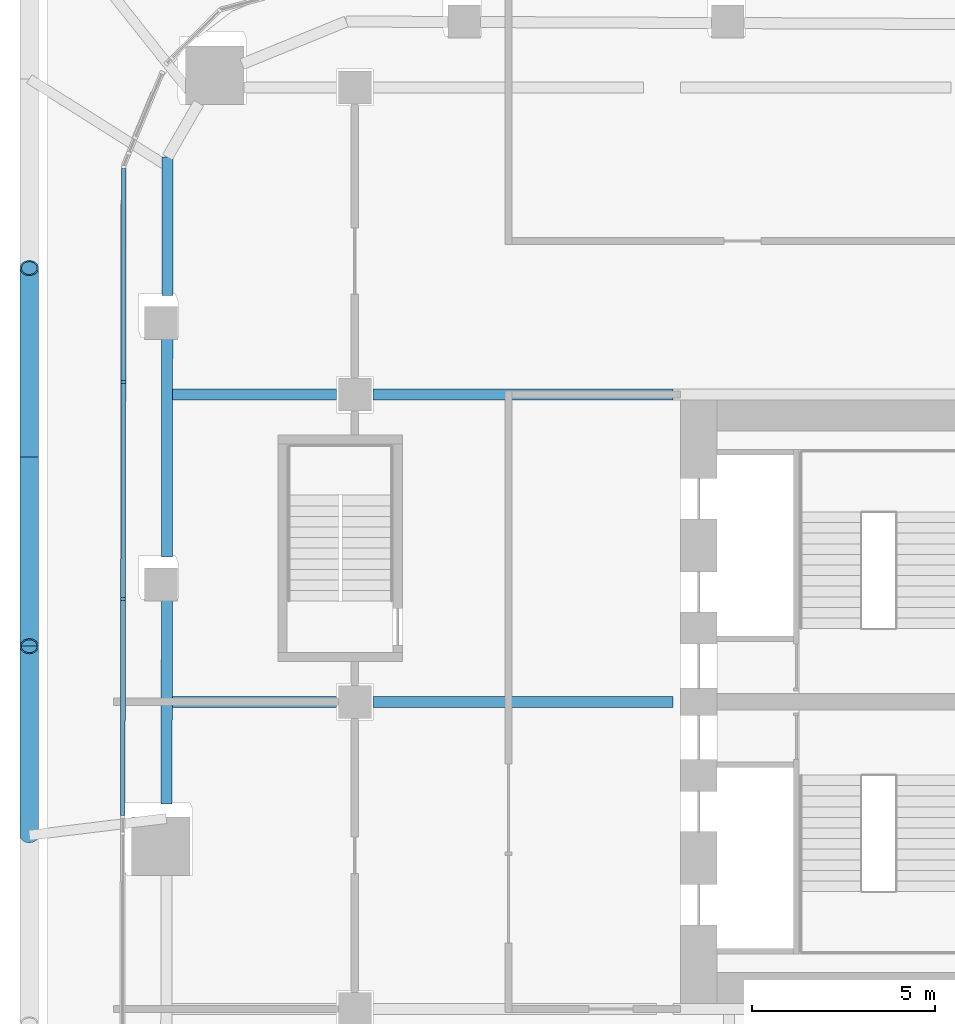
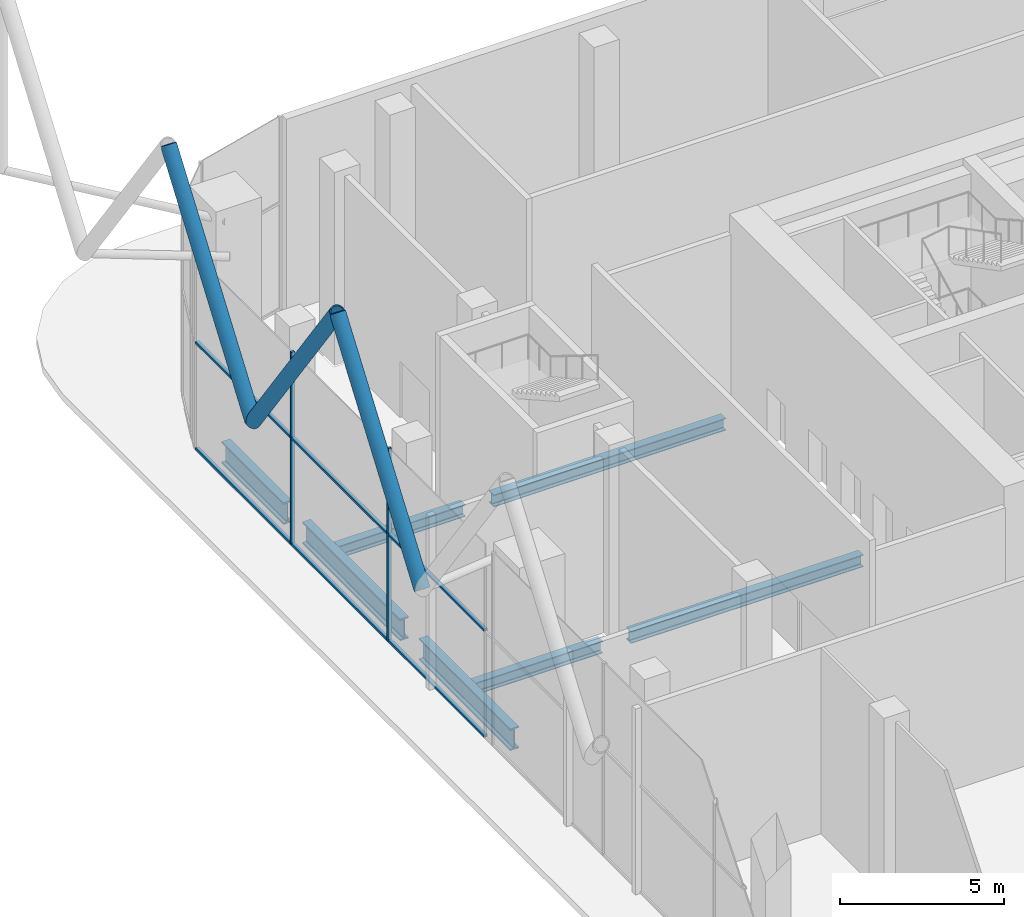
# One storey, part 8 of 34: 11 members, 7 beams, 1 element without a shape of its own.
"""IFC4 building model written with IfcOpenShell, lengths in metres."""

from ifc_helpers import new_model, si_unit, direction, frame, origin, origin_2d, place, context, subcontext, project, spatial, rectangle, hollow_circle, i_section, extrude, material, layer, layer_set, material_profile, profile_set, type_object, element, aggregate, save


model = new_model("IFC4")

# Units and contexts
model_context = context("Model", 3, precision=1e-05, world=origin(), true_north=direction((0.0, 1.0)))
body_context = subcontext(model_context, "Body", "Model", "MODEL_VIEW")
ifc_project = project(units=[si_unit("LENGTHUNIT", "METRE"), si_unit("AREAUNIT", "SQUARE_METRE"), si_unit("VOLUMEUNIT", "CUBIC_METRE"), si_unit("PLANEANGLEUNIT", "RADIAN"), si_unit("MASSUNIT", "GRAM", prefix="KILO")], contexts=[model_context])

# Site, building, storey
site_placement = place(None, origin())
site = spatial("IfcSite", under=ifc_project, at=site_placement, CompositionType="ELEMENT")
building_placement = place(site_placement, origin())
building = spatial("IfcBuilding", under=site, at=building_placement, Name="Marenta Gate Hotel Tower", CompositionType="ELEMENT")
storey_placement = place(building_placement, frame((0.0, 0.0, 97.699951171875)))
storey = spatial("IfcBuildingStorey", under=building, at=storey_placement, Name="L21", CompositionType="ELEMENT", Elevation=97.699951171875)

# Members
ifc_material_1 = material(Name="Steel S355J2W", Category="steel")
ifc_material_profile_1 = material_profile(ifc_material_1, hollow_circle(Radius=0.25390625, WallThickness=0.0400390625, at=origin_2d()), Name="CHS 508x40")
ifc_profile_set_1 = profile_set([ifc_material_profile_1], Name="Steel S355J2W")
member_type_1 = type_object("IfcMemberType", Name="Diagrid diagonal Z2 CHS 508x40", PredefinedType="BRACE", material=ifc_profile_set_1)
member_1_placement = place(storey_placement, frame((-29.89990234375, 4.75, 6.739990234375), z_axis=(0.0, 0.583260841117, 0.812284919975), x_axis=(-1.0, 0.0, 0.0)))
element("IfcMember", 1, at=member_1_placement, inside=storey, type_object=member_type_1, Name="L21-DG-30", PredefinedType="BRACE", context=body_context, shape_type="SweptSolid", body=[
    extrude(hollow_circle(Radius=0.25390625, WallThickness=0.0400390625, at=origin_2d()), origin(), (0.0, 0.0, 1.0), 8.86376953125),
])
member_2_placement = place(storey_placement, frame((-29.89990234375, 15.090087890625, 6.739990234375), z_axis=(0.0, -0.583279014058, 0.812271870595), x_axis=(1.0, 0.0, 0.0)))
element("IfcMember", 2, at=member_2_placement, inside=storey, type_object=member_type_1, Name="L21-DG-31", PredefinedType="BRACE", context=body_context, shape_type="SweptSolid", body=[
    extrude(hollow_circle(Radius=0.25390625, WallThickness=0.0400390625, at=origin_2d()), origin(), (0.0, 0.0, 1.0), 8.864013671875),
])
member_3_placement = place(storey_placement, frame((-29.89990234375, 15.090087890625, 6.739990234375), z_axis=(0.0, 0.583260841117, 0.812284919975), x_axis=(-1.0, 0.0, 0.0)))
element("IfcMember", 3, at=member_3_placement, inside=storey, type_object=member_type_1, Name="L21-DG-32", PredefinedType="BRACE", context=body_context, shape_type="SweptSolid", body=[
    extrude(hollow_circle(Radius=0.25390625, WallThickness=0.0400390625, at=origin_2d()), origin(), (0.0, 0.0, 1.0), 8.86376953125),
])

# Beams
ifc_material_2 = material(Name="Steel S355", Category="steel")
ifc_material_profile_2 = material_profile(ifc_material_2, i_section(OverallWidth=0.302978515625, OverallDepth=0.81396484375, WebThickness=0.030029296875, FlangeThickness=0.052001953125, FilletRadius=0.030029296875, at=origin_2d()), Name="HEM 800")
ifc_profile_set_2 = profile_set([ifc_material_profile_2], Name="Steel S355")
beam_type_1 = type_object("IfcBeamType", Name="Edge beam HEM 800", PredefinedType="SPANDREL", material=ifc_profile_set_2)
beam_1_placement = place(storey_placement, frame((-26.145751953125, 5.600341796875, -0.6669921875), z_axis=(0.001353237804, 0.999999084373, 0.0), x_axis=(-0.999999084373, 0.001353237804, 0.0)))
element("IfcBeam", 4, at=beam_1_placement, inside=storey, type_object=beam_type_1, Name="L21-EB-7", PredefinedType="SPANDREL", context=body_context, shape_type="SweptSolid", body=[
    extrude(i_section(OverallWidth=0.302978515625, OverallDepth=0.81396484375, WebThickness=0.030029296875, FlangeThickness=0.052001953125, FilletRadius=0.030029296875, at=origin_2d()), origin(), (0.0, 0.0, 1.0), 5.5927734375),
])
beam_2_placement = place(storey_placement, frame((-26.136474609375, 12.353515625, -0.6669921875), z_axis=(0.001385096647, 0.999999040753, 0.0), x_axis=(-0.999999040753, 0.001385096647, 0.0)))
element("IfcBeam", 5, at=beam_2_placement, inside=storey, type_object=beam_type_1, Name="L21-EB-8", PredefinedType="SPANDREL", context=body_context, shape_type="SweptSolid", body=[
    extrude(i_section(OverallWidth=0.302978515625, OverallDepth=0.81396484375, WebThickness=0.030029296875, FlangeThickness=0.052001953125, FilletRadius=0.030029296875, at=origin_2d()), origin(), (0.0, 0.0, 1.0), 5.992919921875),
])
beam_3_placement = place(storey_placement, frame((-26.12646484375, 19.5068359375, -0.6669921875), z_axis=(0.001354575291, 0.999999082562, 0.0), x_axis=(-0.999999082562, 0.001354575291, 0.0)))
element("IfcBeam", 6, at=beam_3_placement, inside=storey, type_object=beam_type_1, Name="L21-EB-9", PredefinedType="SPANDREL", context=body_context, shape_type="SweptSolid", body=[
    extrude(i_section(OverallWidth=0.302978515625, OverallDepth=0.81396484375, WebThickness=0.030029296875, FlangeThickness=0.052001953125, FilletRadius=0.030029296875, at=origin_2d()), origin(), (0.0, 0.0, 1.0), 3.784912109375),
])
ifc_material_3 = material(Name="Steel S355", Category="steel")
ifc_material_profile_3 = material_profile(ifc_material_3, i_section(OverallWidth=0.300048828125, OverallDepth=0.449951171875, WebThickness=0.013916015625, FlangeThickness=0.02587890625, FilletRadius=0.027099609375, at=origin_2d()), Name="HEB 450")
ifc_profile_set_3 = profile_set([ifc_material_profile_3], Name="Steel S355")
beam_type_2 = type_object("IfcBeamType", Name="Girder HEB 450", PredefinedType="BEAM", material=ifc_profile_set_3)
beam_4_placement = place(storey_placement, frame((-25.990478515625, 8.39990234375, -0.48486328125), z_axis=(1.0, 0.0, 0.0), x_axis=(0.0, 1.0, 0.0)))
element("IfcBeam", 7, at=beam_4_placement, inside=storey, type_object=beam_type_2, Name="L21-GD-23", PredefinedType="BEAM", context=body_context, shape_type="SweptSolid", body=[
    extrude(i_section(OverallWidth=0.300048828125, OverallDepth=0.449951171875, WebThickness=0.013916015625, FlangeThickness=0.02587890625, FilletRadius=0.027099609375, at=origin_2d()), origin(), (0.0, 0.0, 1.0), 4.490478515625),
])
beam_5_placement = place(storey_placement, frame((-20.5, 8.39990234375, -0.48486328125), z_axis=(1.0, 0.0, 0.0), x_axis=(0.0, 1.0, 0.0)))
element("IfcBeam", 8, at=beam_5_placement, inside=storey, type_object=beam_type_2, Name="L21-GD-24", PredefinedType="BEAM", context=body_context, shape_type="SweptSolid", body=[
    extrude(i_section(OverallWidth=0.300048828125, OverallDepth=0.449951171875, WebThickness=0.013916015625, FlangeThickness=0.02587890625, FilletRadius=0.027099609375, at=origin_2d()), origin(), (0.0, 0.0, 1.0), 8.199951171875),
])
beam_6_placement = place(storey_placement, frame((-25.978759765625, 16.800048828125, -0.48486328125), z_axis=(1.0, 0.0, 0.0), x_axis=(0.0, 1.0, 0.0)))
element("IfcBeam", 9, at=beam_6_placement, inside=storey, type_object=beam_type_2, Name="L21-GD-27", PredefinedType="BEAM", context=body_context, shape_type="SweptSolid", body=[
    extrude(i_section(OverallWidth=0.300048828125, OverallDepth=0.449951171875, WebThickness=0.013916015625, FlangeThickness=0.02587890625, FilletRadius=0.027099609375, at=origin_2d()), origin(), (0.0, 0.0, 1.0), 4.478759765625),
])
beam_7_placement = place(storey_placement, frame((-20.5, 16.800048828125, -0.48486328125), z_axis=(1.0, 0.0, 0.0), x_axis=(0.0, 1.0, 0.0)))
element("IfcBeam", 10, at=beam_7_placement, inside=storey, type_object=beam_type_2, Name="L21-GD-28", PredefinedType="BEAM", context=body_context, shape_type="SweptSolid", body=[
    extrude(i_section(OverallWidth=0.300048828125, OverallDepth=0.449951171875, WebThickness=0.013916015625, FlangeThickness=0.02587890625, FilletRadius=0.027099609375, at=origin_2d()), origin(), (0.0, 0.0, 1.0), 8.199951171875),
])

# Curtain wall, members
ifc_material_4 = material(Name="Tinted insulated glass in bronze anodised frame", Category="glass")
ifc_layer = layer(ifc_material_4, 0.1298828125)
ifc_layer_set = layer_set([ifc_layer], Name="Tinted insulated glass in bronze anodised frame")
curtain_wall_type = type_object("IfcCurtainWallType", Name="Sky lobby glazing CW2", PredefinedType="NOTDEFINED", material=ifc_layer_set)
curtain_wall_placement = place(storey_placement, origin())
curtain_wall = element("IfcCurtainWall", 11, at=curtain_wall_placement, inside=storey, type_object=curtain_wall_type, Name="CW2 run G06", PredefinedType="NOTDEFINED")
ifc_material_5 = material(Name="Bronze anodised aluminium", Category="aluminium")
ifc_material_profile_4 = material_profile(ifc_material_5, rectangle(XDim=0.1298828125, YDim=0.080078125, at=origin_2d()), Name="Mullion CW2 80x130 bronze anodised aluminium")
ifc_profile_set_4 = profile_set([ifc_material_profile_4], Name="Bronze anodised aluminium")
member_type_2 = type_object("IfcMemberType", Name="Mullion CW2 80x130 bronze anodised aluminium", PredefinedType="MULLION", material=ifc_profile_set_4)
member_4_placement = place(storey_placement, frame((-27.32666015625, 17.141845703125, 0.0), z_axis=(0.0, 0.0, 1.0), x_axis=(0.999998768273, -0.001569538853, 0.0)))
member_4 = element("IfcMember", 12, at=member_4_placement, type_object=member_type_2, Name="CW2 mullion 2", PredefinedType="MULLION", context=body_context, shape_type="SweptSolid", body=[
    extrude(rectangle(XDim=0.1298828125, YDim=0.080078125, at=origin_2d()), origin(), (0.0, 0.0, 1.0), 7.199951171875),
])
member_5_placement = place(storey_placement, frame((-27.3359375, 11.216552734375, 0.0), z_axis=(0.0, 0.0, 1.0), x_axis=(0.999998768273, -0.001569538853, 0.0)))
member_5 = element("IfcMember", 13, at=member_5_placement, type_object=member_type_2, Name="CW2 mullion 3", PredefinedType="MULLION", context=body_context, shape_type="SweptSolid", body=[
    extrude(rectangle(XDim=0.1298828125, YDim=0.080078125, at=origin_2d()), origin(), (0.0, 0.0, 1.0), 7.199951171875),
])
ifc_material_6 = material(Name="Bronze anodised aluminium", Category="aluminium")
ifc_material_profile_5 = material_profile(ifc_material_6, rectangle(XDim=0.1298828125, YDim=0.080078125, at=origin_2d()), Name="Transom CW2 80x130 bronze anodised aluminium")
ifc_profile_set_5 = profile_set([ifc_material_profile_5], Name="Bronze anodised aluminium")
member_type_3 = type_object("IfcMemberType", Name="Transom CW2 80x130 bronze anodised aluminium", PredefinedType="USERDEFINED", material=ifc_profile_set_5)
member_6_placement = place(storey_placement, frame((-27.3173828125, 22.9873046875, 0.0400390625), z_axis=(-0.001555992902, -0.999998789442, 0.0), x_axis=(0.999998789442, -0.001555992902, 0.0)))
member_6 = element("IfcMember", 14, at=member_6_placement, type_object=member_type_3, Name="CW2 transom 1.1", ObjectType="TRANSOM", PredefinedType="USERDEFINED", context=body_context, shape_type="SweptSolid", body=[
    extrude(rectangle(XDim=0.1298828125, YDim=0.080078125, at=origin_2d()), origin(), (0.0, 0.0, 1.0), 5.805419921875),
])
member_7_placement = place(storey_placement, frame((-27.3173828125, 22.9873046875, 4.0), z_axis=(-0.001555992902, -0.999998789442, 0.0), x_axis=(0.999998789442, -0.001555992902, 0.0)))
member_7 = element("IfcMember", 15, at=member_7_placement, type_object=member_type_3, Name="CW2 transom 1.2", ObjectType="TRANSOM", PredefinedType="USERDEFINED", context=body_context, shape_type="SweptSolid", body=[
    extrude(rectangle(XDim=0.1298828125, YDim=0.080078125, at=origin_2d()), origin(), (0.0, 0.0, 1.0), 5.805419921875),
])
member_8_placement = place(storey_placement, frame((-27.32666015625, 17.101806640625, 0.0400390625), z_axis=(-0.001587166993, -0.99999874045, 0.0), x_axis=(0.99999874045, -0.001587166993, 0.0)))
member_8 = element("IfcMember", 16, at=member_8_placement, type_object=member_type_3, Name="CW2 transom 2.1", ObjectType="TRANSOM", PredefinedType="USERDEFINED", context=body_context, shape_type="SweptSolid", body=[
    extrude(rectangle(XDim=0.1298828125, YDim=0.080078125, at=origin_2d()), origin(), (0.0, 0.0, 1.0), 5.84521484375),
])
member_9_placement = place(storey_placement, frame((-27.32666015625, 17.101806640625, 4.0), z_axis=(-0.001587166993, -0.99999874045, 0.0), x_axis=(0.99999874045, -0.001587166993, 0.0)))
member_9 = element("IfcMember", 17, at=member_9_placement, type_object=member_type_3, Name="CW2 transom 2.2", ObjectType="TRANSOM", PredefinedType="USERDEFINED", context=body_context, shape_type="SweptSolid", body=[
    extrude(rectangle(XDim=0.1298828125, YDim=0.080078125, at=origin_2d()), origin(), (0.0, 0.0, 1.0), 5.84521484375),
])
member_10_placement = place(storey_placement, frame((-27.3359375, 11.176513671875, 0.0400390625), z_axis=(-0.001576369069, -0.99999875753, 0.0), x_axis=(0.99999875753, -0.001576369069, 0.0)))
member_10 = element("IfcMember", 18, at=member_10_placement, type_object=member_type_3, Name="CW2 transom 3.1", ObjectType="TRANSOM", PredefinedType="USERDEFINED", context=body_context, shape_type="SweptSolid", body=[
    extrude(rectangle(XDim=0.1298828125, YDim=0.080078125, at=origin_2d()), origin(), (0.0, 0.0, 1.0), 5.88525390625),
])
member_11_placement = place(storey_placement, frame((-27.3359375, 11.176513671875, 4.0), z_axis=(-0.001576369069, -0.99999875753, 0.0), x_axis=(0.99999875753, -0.001576369069, 0.0)))
member_11 = element("IfcMember", 19, at=member_11_placement, type_object=member_type_3, Name="CW2 transom 3.2", ObjectType="TRANSOM", PredefinedType="USERDEFINED", context=body_context, shape_type="SweptSolid", body=[
    extrude(rectangle(XDim=0.1298828125, YDim=0.080078125, at=origin_2d()), origin(), (0.0, 0.0, 1.0), 5.88525390625),
])
aggregate(curtain_wall, [member_4, member_5, member_6, member_7, member_8, member_9, member_10, member_11])

save(model, "model.ifc")
